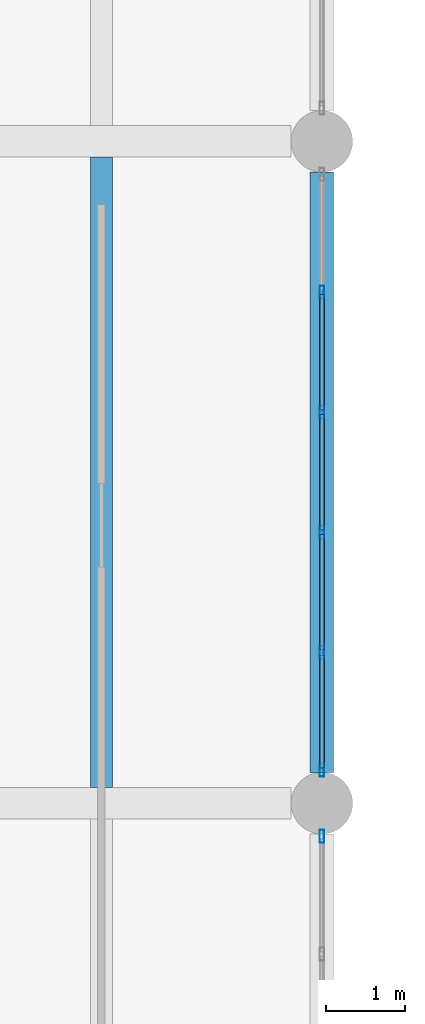
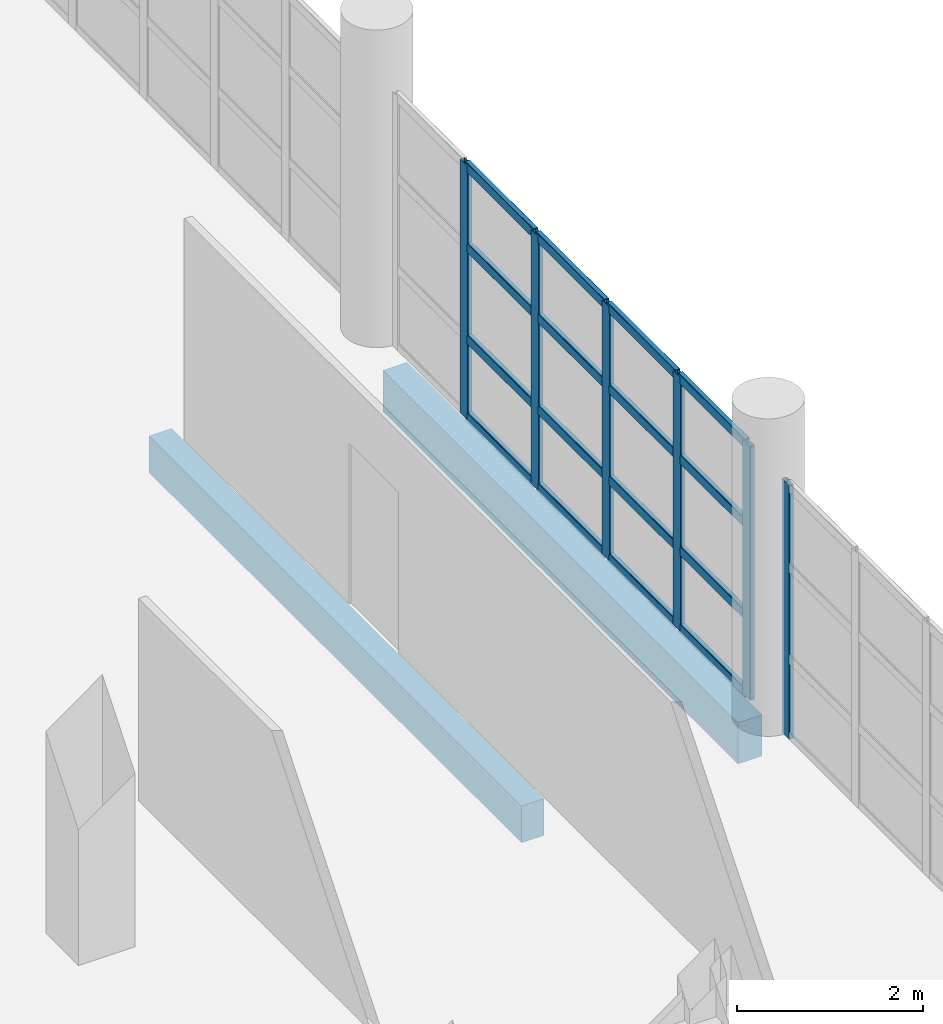
# One storey, part 89 of 177: 22 members, 2 beams, 2 elements without a shape of their own.
"""IFC4 building model written with IfcOpenShell, lengths in metres."""

import ifcopenshell
import ifcopenshell.guid

model = None  # the IFC model being written
_history = None  # IfcOwnerHistory: only IFC2X3 demands one
_inside = {}  # id of a spatial element -> (the spatial element, [elements in it])
_under = {}  # id of a project, library or spatial element -> (it, [spatial elements below it])
_declared = {}  # id of a project -> (the project, [libraries it declares])
_typed = {}  # id of a type object -> (the type object, [elements of that type])
_made_of = {}  # id of a material, layer set ... -> (it, [elements and type objects made of it])


def new_model(schema):
    """Start an empty IFC model of exactly this schema.

    Asked for "IFC4X3", IfcOpenShell would pick the latest addendum, in which some entities
    have other attributes; the version numbers below select the first issue.
    IFC2X3 requires an IfcOwnerHistory on every rooted entity: one is made here for all.
    """
    global model, _history
    if schema == "IFC4X3":
        model = ifcopenshell.file(schema_version=(4, 3, 0, 0))
    else:
        model = ifcopenshell.file(schema=schema)
    _inside.clear()
    _under.clear()
    _declared.clear()
    _typed.clear()
    _made_of.clear()
    _history = None
    if model.schema == "IFC2X3":
        org = make("IfcOrganization", Name="unknown")
        user = make(
            "IfcPersonAndOrganization",
            ThePerson=make("IfcPerson", FamilyName="unknown"),
            TheOrganization=org,
        )
        app = make(
            "IfcApplication",
            ApplicationDeveloper=org,
            Version="unknown",
            ApplicationFullName="unknown",
            ApplicationIdentifier="unknown",
        )
        _history = make(
            "IfcOwnerHistory",
            OwningUser=user,
            OwningApplication=app,
            ChangeAction="ADDED",
            CreationDate=0,
        )
    return model


def make(cls, **values):
    """One entity of the class cls with the attributes given. An attribute that is None is left unset."""
    return model.create_entity(
        cls, **{name: value for name, value in values.items() if value is not None}
    )


def rooted(cls, **values):
    """An entity with a GlobalId (a new one), such as an element, a storey or a relation."""
    return make(cls, GlobalId=ifcopenshell.guid.new(), OwnerHistory=_history, **values)


def si_unit(unit_type, name, prefix=None):
    """IfcSIUnit, for example si_unit("LENGTHUNIT", "METRE", prefix="MILLI")."""
    return make("IfcSIUnit", UnitType=unit_type, Prefix=prefix, Name=name)


def assignment(units):
    """IfcUnitAssignment: the units of a project."""
    return None if units is None else make("IfcUnitAssignment", Units=units)


def point(xyz):
    """IfcCartesianPoint."""
    return None if xyz is None else make("IfcCartesianPoint", Coordinates=xyz)


def direction(xyz):
    """IfcDirection."""
    return None if xyz is None else make("IfcDirection", DirectionRatios=xyz)


def frame(location, z_axis=None, x_axis=None):
    """IfcAxis2Placement3D, a coordinate frame: its origin and axes. An axis left out is left unset."""
    return make(
        "IfcAxis2Placement3D",
        Location=point(location),
        Axis=direction(z_axis),
        RefDirection=direction(x_axis),
    )


def frame_2d(location, x_axis=None):
    """IfcAxis2Placement2D, a coordinate frame in the plane: its origin and x axis."""
    return make(
        "IfcAxis2Placement2D", Location=point(location), RefDirection=direction(x_axis)
    )


def origin():
    """The frame at (0, 0, 0) with its axes left unset."""
    return frame((0.0, 0.0, 0.0))


def origin_2d():
    """The frame at (0, 0) in the plane with its x axis left unset."""
    return frame_2d((0.0, 0.0))


def place(relative_to, where):
    """IfcLocalPlacement: puts the frame where relative to a parent placement (None: the world)."""
    return make(
        "IfcLocalPlacement", PlacementRelTo=relative_to, RelativePlacement=where
    )


def context(
    kind, dimensions, precision=None, world=None, true_north=None, identifier=None
):
    """IfcGeometricRepresentationContext, for example the 3D "Model" context."""
    return make(
        "IfcGeometricRepresentationContext",
        ContextIdentifier=identifier,
        ContextType=kind,
        CoordinateSpaceDimension=dimensions,
        Precision=precision,
        WorldCoordinateSystem=world,
        TrueNorth=true_north,
    )


def subcontext(parent, identifier, kind, view, scale=None):
    """IfcGeometricRepresentationSubContext, for example "Body" below "Model"."""
    return make(
        "IfcGeometricRepresentationSubContext",
        ContextIdentifier=identifier,
        ContextType=kind,
        ParentContext=parent,
        TargetScale=scale,
        TargetView=view,
    )


def project(units=None, contexts=None):
    """IfcProject with its units and contexts."""
    return rooted(
        "IfcProject",
        Name="project",
        RepresentationContexts=contexts,
        UnitsInContext=assignment(units),
    )


def spatial(cls, under=None, at=None, **own):
    """A site, building, storey or space (cls), placed at a placement, below another one or the project."""
    s = rooted(cls, ObjectPlacement=at, **own)
    if under is not None:
        _under.setdefault(under.id(), (under, []))[1].append(s)
    return s


def profile(cls, at=None, kind="AREA", **sizes):
    """A parametric profile (cls). Its sizes go by their IFC names, for example OverallWidth=200.0."""
    return make(cls, ProfileType=kind, Position=at, **sizes)


def rectangle(**sizes):
    """IfcRectangleProfileDef."""
    return profile("IfcRectangleProfileDef", **sizes)


def hollow_rectangle(**sizes):
    """IfcRectangleHollowProfileDef."""
    return profile("IfcRectangleHollowProfileDef", **sizes)


def extrude(swept, where, along, depth):
    """IfcExtrudedAreaSolid: the profile swept, set in the frame where, extruded along a direction by depth."""
    return make(
        "IfcExtrudedAreaSolid",
        SweptArea=swept,
        Position=where,
        ExtrudedDirection=direction(along),
        Depth=depth,
    )


def shape(context_of_items, identifier, shape_type, items):
    """IfcShapeRepresentation: the items that make up one representation, for example the "Body"."""
    return make(
        "IfcShapeRepresentation",
        ContextOfItems=context_of_items,
        RepresentationIdentifier=identifier,
        RepresentationType=shape_type,
        Items=items,
    )


def material(Name=None, Category=None):
    """IfcMaterial."""
    return make("IfcMaterial", Name=Name, Category=Category)


def layer(
    of_material, thickness, ventilated=None, Name=None, Category=None, Priority=None
):
    """IfcMaterialLayer: one layer of a wall or slab, of a material (None: an air gap)."""
    return make(
        "IfcMaterialLayer",
        Material=of_material,
        LayerThickness=thickness,
        IsVentilated=ventilated,
        Name=Name,
        Category=Category,
        Priority=Priority,
    )


def layer_set(layers, Name=None):
    """IfcMaterialLayerSet."""
    return make("IfcMaterialLayerSet", MaterialLayers=layers, LayerSetName=Name)


def material_profile(
    of_material, cross_section, Name=None, Category=None, Priority=None
):
    """IfcMaterialProfile: a cross section and its material."""
    return make(
        "IfcMaterialProfile",
        Name=Name,
        Material=of_material,
        Profile=cross_section,
        Priority=Priority,
        Category=Category,
    )


def profile_set(profiles, Name=None, composite=None):
    """IfcMaterialProfileSet."""
    return make(
        "IfcMaterialProfileSet",
        Name=Name,
        MaterialProfiles=profiles,
        CompositeProfile=composite,
    )


def made_of(thing, what):
    """Note that an element or type object is made of a material, layer set ...; save() writes the relation."""
    if what is not None:
        _made_of.setdefault(what.id(), (what, []))[1].append(thing)
    return thing


def type_object(cls, material=None, **own):
    """A type object (cls), such as IfcWallType, which elements share."""
    return made_of(rooted(cls, **own), material)


def element(
    cls,
    number,
    at=None,
    inside=None,
    cuts=None,
    type_object=None,
    material=None,
    context=None,
    identifier="Body",
    shape_type=None,
    held_by="IfcProductDefinitionShape",
    body=None,
    shapes=None,
    **own,
):
    """One element of the class cls, such as IfcWall. Its Tag is "e" and its number.

    at: its placement. inside: the storey or other place that contains it. cuts: it is an
    opening in that element (IfcRelVoidsElement). A single representation is given by context,
    identifier, shape_type and body (its items); several are given by shapes. held_by: the class
    of the entity that holds the representations. save() writes the other relations.
    """
    e = rooted(cls, Tag="e%d" % number, ObjectPlacement=at, **own)
    if body is not None:
        shapes = [shape(context, identifier, shape_type, body)]
    if shapes is not None:
        e.Representation = make(held_by, Representations=shapes)
    if inside is not None:
        _inside.setdefault(inside.id(), (inside, []))[1].append(e)
    if cuts is not None:
        rooted(
            "IfcRelVoidsElement", RelatingBuildingElement=cuts, RelatedOpeningElement=e
        )
    if type_object is not None:
        _typed.setdefault(type_object.id(), (type_object, []))[1].append(e)
    return made_of(e, material)


def aggregate(whole, parts):
    """IfcRelAggregates: a whole, such as a stair, and the parts it consists of."""
    return rooted("IfcRelAggregates", RelatingObject=whole, RelatedObjects=parts)


def save(model, path):
    """Write the relations noted so far, then the file.

    IfcRelAggregates (storeys below a building ...), IfcRelContainedInSpatialStructure (elements
    in a storey), IfcRelDefinesByType, IfcRelAssociatesMaterial and IfcRelDeclares: one each for
    every whole, place, type object, material and project.
    """
    for whole, parts in _under.values():
        aggregate(whole, parts)
    for where, things in _inside.values():
        rooted(
            "IfcRelContainedInSpatialStructure",
            RelatedElements=things,
            RelatingStructure=where,
        )
    for kind, things in _typed.values():
        rooted("IfcRelDefinesByType", RelatedObjects=things, RelatingType=kind)
    for what, things in _made_of.values():
        rooted("IfcRelAssociatesMaterial", RelatedObjects=things, RelatingMaterial=what)
    for by, libraries in _declared.values():
        rooted("IfcRelDeclares", RelatingContext=by, RelatedDefinitions=libraries)
    model.write(path)


model = new_model("IFC4")

# Units and contexts
model_context = context("Model", 3, precision=1e-05, world=origin(), true_north=direction((0.0, 1.0)))
body_context = subcontext(model_context, "Body", "Model", "MODEL_VIEW")
ifc_project = project(units=[si_unit("LENGTHUNIT", "METRE"), si_unit("AREAUNIT", "SQUARE_METRE"), si_unit("VOLUMEUNIT", "CUBIC_METRE"), si_unit("PLANEANGLEUNIT", "RADIAN"), si_unit("MASSUNIT", "GRAM", prefix="KILO"), si_unit("THERMODYNAMICTEMPERATUREUNIT", "KELVIN"), si_unit("POWERUNIT", "WATT")], contexts=[model_context])

# Site, building, storey
site_placement = place(None, origin())
site = spatial("IfcSite", under=ifc_project, at=site_placement, CompositionType="ELEMENT")
building_placement = place(site_placement, origin())
building = spatial("IfcBuilding", under=site, at=building_placement, Name="Mavoryth Pier Ferry Terminal", CompositionType="ELEMENT")
storey_placement = place(building_placement, frame((0.0, 0.0, 5.43994140625)))
storey = spatial("IfcBuildingStorey", under=building, at=storey_placement, Name="L01", CompositionType="ELEMENT", Elevation=5.43994140625)

# Beam
ifc_material_1 = material(Name="Concrete C35/45", Category="concrete")
ifc_material_profile_1 = material_profile(ifc_material_1, rectangle(XDim=0.280029296875, YDim=0.47998046875, at=origin_2d()), Name="RC 280x480", Category="concrete")
ifc_profile_set_1 = profile_set([ifc_material_profile_1], Name="Concrete C35/45 - RC 280x480")
beam_type_1 = type_object("IfcBeamType", Name="Joist-RC-280x480", PredefinedType="JOIST", material=ifc_profile_set_1)
beam_1_placement = place(storey_placement, frame((89.60009765625, 81.0, -0.52001953125), z_axis=(0.0, 1.0, 0.0), x_axis=(-1.0, 0.0, 0.0)))
element("IfcBeam", 1, at=beam_1_placement, inside=storey, type_object=beam_type_1, Name="Beam B01-BJ02-0254", PredefinedType="JOIST", context=body_context, shape_type="SweptSolid", body=[
    extrude(rectangle(XDim=0.280029296875, YDim=0.47998046875, at=origin_2d()), origin(), (0.0, 0.0, 1.0), 8.0),
])

# Curtain wall, member
ifc_material_2 = material(Name="Anodised Aluminium and Solar-Control Low-E Glass", Category="aluminium")
ifc_layer = layer(ifc_material_2, 0.159912109375, Name="Anodised Aluminium and Solar-Control Low-E Glass", Category="aluminium")
ifc_layer_set = layer_set([ifc_layer], Name="Anodised Aluminium and Solar-Control Low-E Glass - CW-Arrivals-Mod1400")
curtain_wall_type = type_object("IfcCurtainWallType", Name="CW-Arrivals-Mod1400", PredefinedType="USERDEFINED", material=ifc_layer_set)
curtain_wall_1_placement = place(storey_placement, origin())
curtain_wall_1 = element("IfcCurtainWall", 2, at=curtain_wall_1_placement, inside=storey, type_object=curtain_wall_type, Name="Curtain Wall CW-0122-065", ObjectType="UNITISED CURTAIN WALL", PredefinedType="USERDEFINED")
ifc_material_3 = material(Name="Anodised Aluminium EN AW-6063", Category="aluminium")
ifc_material_profile_2 = material_profile(ifc_material_3, hollow_rectangle(XDim=0.06005859375, YDim=0.1650390625, WallThickness=0.00390625, InnerFilletRadius=0.00390625, OuterFilletRadius=0.008056640625, at=origin_2d()), Name="AL-MULL 165x60x4", Category="aluminium")
ifc_profile_set_2 = profile_set([ifc_material_profile_2], Name="Anodised Aluminium EN AW-6063 - AL-MULL 165x60x4")
member_type_1 = type_object("IfcMemberType", Name="Mullion-Alum-165x60", PredefinedType="MULLION", material=ifc_profile_set_2)
member_1_placement = place(storey_placement, frame((92.39990234375, 80.3798828125, 0.0), z_axis=(0.0, 0.0, 1.0), x_axis=(-1.0, 0.0, 0.0)))
member_1 = element("IfcMember", 3, at=member_1_placement, type_object=member_type_1, Name="CW04 mullion 6", PredefinedType="MULLION", context=body_context, shape_type="SweptSolid", body=[
    extrude(hollow_rectangle(XDim=0.06005859375, YDim=0.1650390625, WallThickness=0.00390625, InnerFilletRadius=0.00390625, OuterFilletRadius=0.008056640625, at=origin_2d()), origin(), (0.0, 0.0, 1.0), 3.324951171875),
])
aggregate(curtain_wall_1, [member_1])

# Curtain wall, members
curtain_wall_2_placement = place(storey_placement, origin())
curtain_wall_2 = element("IfcCurtainWall", 4, at=curtain_wall_2_placement, inside=storey, type_object=curtain_wall_type, Name="Curtain Wall CW-0122-067", ObjectType="UNITISED CURTAIN WALL", PredefinedType="USERDEFINED")
member_2_placement = place(storey_placement, frame((92.39990234375, 81.219970703125, 0.0), z_axis=(0.0, 0.0, 1.0), x_axis=(-1.0, 0.0, 0.0)))
member_2 = element("IfcMember", 5, at=member_2_placement, type_object=member_type_1, Name="CW04 mullion 1", PredefinedType="MULLION", context=body_context, shape_type="SweptSolid", body=[
    extrude(hollow_rectangle(XDim=0.06005859375, YDim=0.1650390625, WallThickness=0.00390625, InnerFilletRadius=0.00390625, OuterFilletRadius=0.008056640625, at=origin_2d()), origin(), (0.0, 0.0, 1.0), 3.324951171875),
])
member_3_placement = place(storey_placement, frame((92.39990234375, 82.714111328125, 0.0), z_axis=(0.0, 0.0, 1.0), x_axis=(-1.0, 0.0, 0.0)))
member_3 = element("IfcMember", 6, at=member_3_placement, type_object=member_type_1, Name="CW04 mullion 2", PredefinedType="MULLION", context=body_context, shape_type="SweptSolid", body=[
    extrude(hollow_rectangle(XDim=0.06005859375, YDim=0.1650390625, WallThickness=0.00390625, InnerFilletRadius=0.00390625, OuterFilletRadius=0.008056640625, at=origin_2d()), origin(), (0.0, 0.0, 1.0), 3.324951171875),
])
member_4_placement = place(storey_placement, frame((92.39990234375, 84.238037109375, 0.0), z_axis=(0.0, 0.0, 1.0), x_axis=(-1.0, 0.0, 0.0)))
member_4 = element("IfcMember", 7, at=member_4_placement, type_object=member_type_1, Name="CW04 mullion 3", PredefinedType="MULLION", context=body_context, shape_type="SweptSolid", body=[
    extrude(hollow_rectangle(XDim=0.06005859375, YDim=0.1650390625, WallThickness=0.00390625, InnerFilletRadius=0.00390625, OuterFilletRadius=0.008056640625, at=origin_2d()), origin(), (0.0, 0.0, 1.0), 3.324951171875),
])
member_5_placement = place(storey_placement, frame((92.39990234375, 85.761962890625, 0.0), z_axis=(0.0, 0.0, 1.0), x_axis=(-1.0, 0.0, 0.0)))
member_5 = element("IfcMember", 8, at=member_5_placement, type_object=member_type_1, Name="CW04 mullion 4", PredefinedType="MULLION", context=body_context, shape_type="SweptSolid", body=[
    extrude(hollow_rectangle(XDim=0.06005859375, YDim=0.1650390625, WallThickness=0.00390625, InnerFilletRadius=0.00390625, OuterFilletRadius=0.008056640625, at=origin_2d()), origin(), (0.0, 0.0, 1.0), 3.324951171875),
])
member_6_placement = place(storey_placement, frame((92.39990234375, 87.285888671875, 0.0), z_axis=(0.0, 0.0, 1.0), x_axis=(-1.0, 0.0, 0.0)))
member_6 = element("IfcMember", 9, at=member_6_placement, type_object=member_type_1, Name="CW04 mullion 5", PredefinedType="MULLION", context=body_context, shape_type="SweptSolid", body=[
    extrude(hollow_rectangle(XDim=0.06005859375, YDim=0.1650390625, WallThickness=0.00390625, InnerFilletRadius=0.00390625, OuterFilletRadius=0.008056640625, at=origin_2d()), origin(), (0.0, 0.0, 1.0), 3.324951171875),
])

# Beam
ifc_material_profile_3 = material_profile(ifc_material_1, rectangle(XDim=0.300048828125, YDim=0.5400390625, at=origin_2d()), Name="RC 300x540", Category="concrete")
ifc_profile_set_3 = profile_set([ifc_material_profile_3], Name="Concrete C35/45 - RC 300x540")
beam_type_2 = type_object("IfcBeamType", Name="Spandrel-RC-300x540", PredefinedType="SPANDREL", material=ifc_profile_set_3)
beam_2_placement = place(storey_placement, frame((92.39990234375, 81.18994140625, -0.550048828125), z_axis=(0.0, 1.0, 0.0), x_axis=(-1.0, 0.0, 0.0)))
element("IfcBeam", 10, at=beam_2_placement, inside=storey, type_object=beam_type_2, Name="Beam B01-SP02-0224", PredefinedType="SPANDREL", context=body_context, shape_type="SweptSolid", body=[
    extrude(rectangle(XDim=0.300048828125, YDim=0.5400390625, at=origin_2d()), origin(), (0.0, 0.0, 1.0), 7.6201171875),
])

# Member
ifc_material_profile_4 = material_profile(ifc_material_3, hollow_rectangle(XDim=0.06005859375, YDim=0.125, WallThickness=0.00390625, InnerFilletRadius=0.00390625, OuterFilletRadius=0.008056640625, at=origin_2d()), Name="AL-TRAN 125x60x4", Category="aluminium")
ifc_profile_set_4 = profile_set([ifc_material_profile_4], Name="Anodised Aluminium EN AW-6063 - AL-TRAN 125x60x4")
member_type_2 = type_object("IfcMemberType", Name="Transom-Alum-125x60", PredefinedType="USERDEFINED", material=ifc_profile_set_4)
member_7_placement = place(storey_placement, frame((92.39990234375, 81.25, 0.030029296875), z_axis=(0.0, 1.0, 0.0), x_axis=(-1.0, 0.0, 0.0)))
member_7 = element("IfcMember", 11, at=member_7_placement, type_object=member_type_2, Name="CW04 transom 1.1", ObjectType="TRANSOM", PredefinedType="USERDEFINED", context=body_context, shape_type="SweptSolid", body=[
    extrude(hollow_rectangle(XDim=0.06005859375, YDim=0.125, WallThickness=0.00390625, InnerFilletRadius=0.00390625, OuterFilletRadius=0.008056640625, at=origin_2d()), origin(), (0.0, 0.0, 1.0), 1.43408203125),
])

member_8_placement = place(storey_placement, frame((92.39990234375, 81.25, 1.050048828125), z_axis=(0.0, 1.0, 0.0), x_axis=(-1.0, 0.0, 0.0)))
member_8 = element("IfcMember", 12, at=member_8_placement, type_object=member_type_2, Name="CW04 transom 1.2", ObjectType="TRANSOM", PredefinedType="USERDEFINED", context=body_context, shape_type="SweptSolid", body=[
    extrude(hollow_rectangle(XDim=0.06005859375, YDim=0.125, WallThickness=0.00390625, InnerFilletRadius=0.00390625, OuterFilletRadius=0.008056640625, at=origin_2d()), origin(), (0.0, 0.0, 1.0), 1.43408203125),
])

member_9_placement = place(storey_placement, frame((92.39990234375, 81.25, 2.25), z_axis=(0.0, 1.0, 0.0), x_axis=(-1.0, 0.0, 0.0)))
member_9 = element("IfcMember", 13, at=member_9_placement, type_object=member_type_2, Name="CW04 transom 1.3", ObjectType="TRANSOM", PredefinedType="USERDEFINED", context=body_context, shape_type="SweptSolid", body=[
    extrude(hollow_rectangle(XDim=0.06005859375, YDim=0.125, WallThickness=0.00390625, InnerFilletRadius=0.00390625, OuterFilletRadius=0.008056640625, at=origin_2d()), origin(), (0.0, 0.0, 1.0), 1.43408203125),
])

member_10_placement = place(storey_placement, frame((92.39990234375, 81.25, 3.295166015625), z_axis=(0.0, 1.0, 0.0), x_axis=(-1.0, 0.0, 0.0)))
member_10 = element("IfcMember", 14, at=member_10_placement, type_object=member_type_2, Name="CW04 transom 1.4", ObjectType="TRANSOM", PredefinedType="USERDEFINED", context=body_context, shape_type="SweptSolid", body=[
    extrude(hollow_rectangle(XDim=0.06005859375, YDim=0.125, WallThickness=0.00390625, InnerFilletRadius=0.00390625, OuterFilletRadius=0.008056640625, at=origin_2d()), origin(), (0.0, 0.0, 1.0), 1.43408203125),
])

member_11_placement = place(storey_placement, frame((92.39990234375, 82.743896484375, 0.030029296875), z_axis=(0.0, 1.0, 0.0), x_axis=(-1.0, 0.0, 0.0)))
member_11 = element("IfcMember", 15, at=member_11_placement, type_object=member_type_2, Name="CW04 transom 2.1", ObjectType="TRANSOM", PredefinedType="USERDEFINED", context=body_context, shape_type="SweptSolid", body=[
    extrude(hollow_rectangle(XDim=0.06005859375, YDim=0.125, WallThickness=0.00390625, InnerFilletRadius=0.00390625, OuterFilletRadius=0.008056640625, at=origin_2d()), origin(), (0.0, 0.0, 1.0), 1.464111328125),
])

member_12_placement = place(storey_placement, frame((92.39990234375, 82.743896484375, 1.050048828125), z_axis=(0.0, 1.0, 0.0), x_axis=(-1.0, 0.0, 0.0)))
member_12 = element("IfcMember", 16, at=member_12_placement, type_object=member_type_2, Name="CW04 transom 2.2", ObjectType="TRANSOM", PredefinedType="USERDEFINED", context=body_context, shape_type="SweptSolid", body=[
    extrude(hollow_rectangle(XDim=0.06005859375, YDim=0.125, WallThickness=0.00390625, InnerFilletRadius=0.00390625, OuterFilletRadius=0.008056640625, at=origin_2d()), origin(), (0.0, 0.0, 1.0), 1.464111328125),
])

member_13_placement = place(storey_placement, frame((92.39990234375, 82.743896484375, 2.25), z_axis=(0.0, 1.0, 0.0), x_axis=(-1.0, 0.0, 0.0)))
member_13 = element("IfcMember", 17, at=member_13_placement, type_object=member_type_2, Name="CW04 transom 2.3", ObjectType="TRANSOM", PredefinedType="USERDEFINED", context=body_context, shape_type="SweptSolid", body=[
    extrude(hollow_rectangle(XDim=0.06005859375, YDim=0.125, WallThickness=0.00390625, InnerFilletRadius=0.00390625, OuterFilletRadius=0.008056640625, at=origin_2d()), origin(), (0.0, 0.0, 1.0), 1.464111328125),
])

member_14_placement = place(storey_placement, frame((92.39990234375, 82.743896484375, 3.295166015625), z_axis=(0.0, 1.0, 0.0), x_axis=(-1.0, 0.0, 0.0)))
member_14 = element("IfcMember", 18, at=member_14_placement, type_object=member_type_2, Name="CW04 transom 2.4", ObjectType="TRANSOM", PredefinedType="USERDEFINED", context=body_context, shape_type="SweptSolid", body=[
    extrude(hollow_rectangle(XDim=0.06005859375, YDim=0.125, WallThickness=0.00390625, InnerFilletRadius=0.00390625, OuterFilletRadius=0.008056640625, at=origin_2d()), origin(), (0.0, 0.0, 1.0), 1.464111328125),
])

member_15_placement = place(storey_placement, frame((92.39990234375, 84.26806640625, 0.030029296875), z_axis=(0.0, 1.0, 0.0), x_axis=(-1.0, 0.0, 0.0)))
member_15 = element("IfcMember", 19, at=member_15_placement, type_object=member_type_2, Name="CW04 transom 3.1", ObjectType="TRANSOM", PredefinedType="USERDEFINED", context=body_context, shape_type="SweptSolid", body=[
    extrude(hollow_rectangle(XDim=0.06005859375, YDim=0.125, WallThickness=0.00390625, InnerFilletRadius=0.00390625, OuterFilletRadius=0.008056640625, at=origin_2d()), origin(), (0.0, 0.0, 1.0), 1.4638671875),
])

member_16_placement = place(storey_placement, frame((92.39990234375, 84.26806640625, 1.050048828125), z_axis=(0.0, 1.0, 0.0), x_axis=(-1.0, 0.0, 0.0)))
member_16 = element("IfcMember", 20, at=member_16_placement, type_object=member_type_2, Name="CW04 transom 3.2", ObjectType="TRANSOM", PredefinedType="USERDEFINED", context=body_context, shape_type="SweptSolid", body=[
    extrude(hollow_rectangle(XDim=0.06005859375, YDim=0.125, WallThickness=0.00390625, InnerFilletRadius=0.00390625, OuterFilletRadius=0.008056640625, at=origin_2d()), origin(), (0.0, 0.0, 1.0), 1.4638671875),
])

member_17_placement = place(storey_placement, frame((92.39990234375, 84.26806640625, 2.25), z_axis=(0.0, 1.0, 0.0), x_axis=(-1.0, 0.0, 0.0)))
member_17 = element("IfcMember", 21, at=member_17_placement, type_object=member_type_2, Name="CW04 transom 3.3", ObjectType="TRANSOM", PredefinedType="USERDEFINED", context=body_context, shape_type="SweptSolid", body=[
    extrude(hollow_rectangle(XDim=0.06005859375, YDim=0.125, WallThickness=0.00390625, InnerFilletRadius=0.00390625, OuterFilletRadius=0.008056640625, at=origin_2d()), origin(), (0.0, 0.0, 1.0), 1.4638671875),
])

member_18_placement = place(storey_placement, frame((92.39990234375, 84.26806640625, 3.295166015625), z_axis=(0.0, 1.0, 0.0), x_axis=(-1.0, 0.0, 0.0)))
member_18 = element("IfcMember", 22, at=member_18_placement, type_object=member_type_2, Name="CW04 transom 3.4", ObjectType="TRANSOM", PredefinedType="USERDEFINED", context=body_context, shape_type="SweptSolid", body=[
    extrude(hollow_rectangle(XDim=0.06005859375, YDim=0.125, WallThickness=0.00390625, InnerFilletRadius=0.00390625, OuterFilletRadius=0.008056640625, at=origin_2d()), origin(), (0.0, 0.0, 1.0), 1.4638671875),
])

member_19_placement = place(storey_placement, frame((92.39990234375, 85.7919921875, 0.030029296875), z_axis=(0.0, 1.0, 0.0), x_axis=(-1.0, 0.0, 0.0)))
member_19 = element("IfcMember", 23, at=member_19_placement, type_object=member_type_2, Name="CW04 transom 4.1", ObjectType="TRANSOM", PredefinedType="USERDEFINED", context=body_context, shape_type="SweptSolid", body=[
    extrude(hollow_rectangle(XDim=0.06005859375, YDim=0.125, WallThickness=0.00390625, InnerFilletRadius=0.00390625, OuterFilletRadius=0.008056640625, at=origin_2d()), origin(), (0.0, 0.0, 1.0), 1.464111328125),
])

member_20_placement = place(storey_placement, frame((92.39990234375, 85.7919921875, 1.050048828125), z_axis=(0.0, 1.0, 0.0), x_axis=(-1.0, 0.0, 0.0)))
member_20 = element("IfcMember", 24, at=member_20_placement, type_object=member_type_2, Name="CW04 transom 4.2", ObjectType="TRANSOM", PredefinedType="USERDEFINED", context=body_context, shape_type="SweptSolid", body=[
    extrude(hollow_rectangle(XDim=0.06005859375, YDim=0.125, WallThickness=0.00390625, InnerFilletRadius=0.00390625, OuterFilletRadius=0.008056640625, at=origin_2d()), origin(), (0.0, 0.0, 1.0), 1.464111328125),
])

member_21_placement = place(storey_placement, frame((92.39990234375, 85.7919921875, 2.25), z_axis=(0.0, 1.0, 0.0), x_axis=(-1.0, 0.0, 0.0)))
member_21 = element("IfcMember", 25, at=member_21_placement, type_object=member_type_2, Name="CW04 transom 4.3", ObjectType="TRANSOM", PredefinedType="USERDEFINED", context=body_context, shape_type="SweptSolid", body=[
    extrude(hollow_rectangle(XDim=0.06005859375, YDim=0.125, WallThickness=0.00390625, InnerFilletRadius=0.00390625, OuterFilletRadius=0.008056640625, at=origin_2d()), origin(), (0.0, 0.0, 1.0), 1.464111328125),
])

member_22_placement = place(storey_placement, frame((92.39990234375, 85.7919921875, 3.295166015625), z_axis=(0.0, 1.0, 0.0), x_axis=(-1.0, 0.0, 0.0)))
member_22 = element("IfcMember", 26, at=member_22_placement, type_object=member_type_2, Name="CW04 transom 4.4", ObjectType="TRANSOM", PredefinedType="USERDEFINED", context=body_context, shape_type="SweptSolid", body=[
    extrude(hollow_rectangle(XDim=0.06005859375, YDim=0.125, WallThickness=0.00390625, InnerFilletRadius=0.00390625, OuterFilletRadius=0.008056640625, at=origin_2d()), origin(), (0.0, 0.0, 1.0), 1.464111328125),
])

aggregate(curtain_wall_2, [member_2, member_3, member_4, member_5, member_6, member_7, member_8, member_9, member_10, member_11, member_12, member_13, member_14, member_15, member_16, member_17, member_18, member_19, member_20, member_21, member_22])

save(model, "model.ifc")
